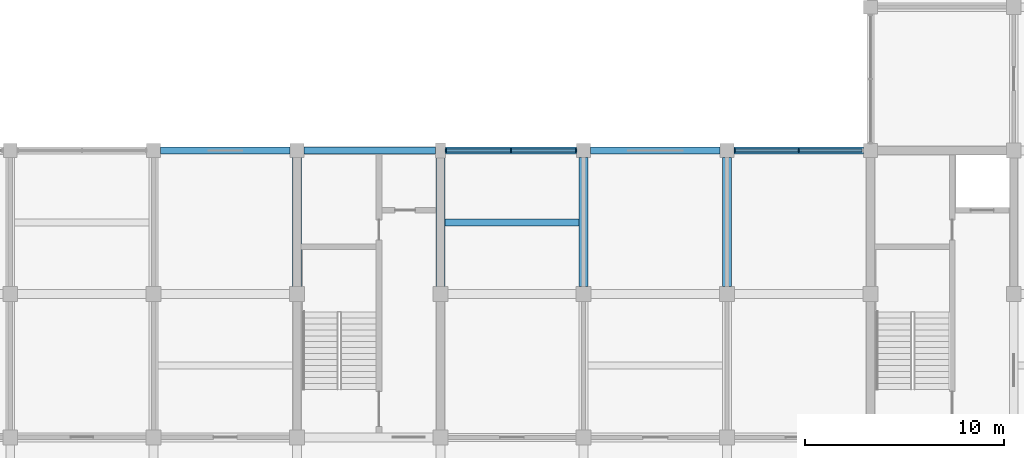
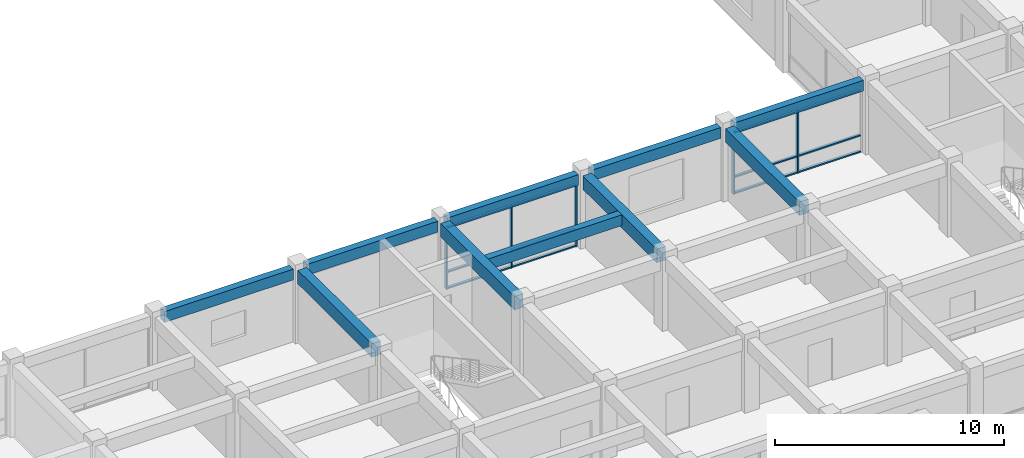
# One storey, part 4 of 31: 17 members, 10 beams, 2 elements without a shape of their own.
"""IFC4 building model written with IfcOpenShell, lengths in metres."""

from ifc_helpers import new_model, si_unit, direction, frame, origin, origin_2d, place, context, subcontext, project, spatial, rectangle, extrude, material, layer, layer_set, material_profile, profile_set, type_object, element, aggregate, save


model = new_model("IFC4")

# Units and contexts
model_context = context("Model", 3, precision=1e-05, world=origin(), true_north=direction((0.0, 1.0)))
body_context = subcontext(model_context, "Body", "Model", "MODEL_VIEW")
ifc_project = project(units=[si_unit("LENGTHUNIT", "METRE"), si_unit("AREAUNIT", "SQUARE_METRE"), si_unit("VOLUMEUNIT", "CUBIC_METRE"), si_unit("PLANEANGLEUNIT", "RADIAN"), si_unit("MASSUNIT", "GRAM", prefix="KILO")], contexts=[model_context])

# Site, building, storey
site_placement = place(None, origin())
site = spatial("IfcSite", under=ifc_project, at=site_placement, CompositionType="ELEMENT")
building_placement = place(site_placement, origin())
building = spatial("IfcBuilding", under=site, at=building_placement, Name="Cendaluz Park School", CompositionType="ELEMENT")
storey_placement = place(building_placement, frame((0.0, 0.0, 14.39990234375)))
storey = spatial("IfcBuildingStorey", under=building, at=storey_placement, Name="L03", CompositionType="ELEMENT", Elevation=14.39990234375)

# Beams
ifc_material_1 = material(Name="Concrete C40/50", Category="concrete")
ifc_material_profile_1 = material_profile(ifc_material_1, rectangle(XDim=0.449951171875, YDim=0.719970703125, at=origin_2d()), Name="RC 450x720", Category="concrete")
ifc_profile_set_1 = profile_set([ifc_material_profile_1], Name="Concrete C40/50")
beam_type_1 = type_object("IfcBeamType", Name="BM-RC02", PredefinedType="BEAM", material=ifc_profile_set_1)
beam_1_placement = place(storey_placement, frame((36.0, 21.97509765625, 3.530029296875), z_axis=(0.0, 1.0, 0.0), x_axis=(-1.0, 0.0, 0.0)))
element("IfcBeam", 1, at=beam_1_placement, inside=storey, type_object=beam_type_1, Name="BM-L03-BMRC02-0122", PredefinedType="BEAM", context=body_context, shape_type="SweptSolid", body=[
    extrude(rectangle(XDim=0.449951171875, YDim=0.719970703125, at=origin_2d()), origin(), (0.0, 0.0, 1.0), 6.474853515625),
])
beam_2_placement = place(storey_placement, frame((43.199951171875, 21.97509765625, 3.530029296875), z_axis=(0.0, 1.0, 0.0), x_axis=(-1.0, 0.0, 0.0)))
element("IfcBeam", 2, at=beam_2_placement, inside=storey, type_object=beam_type_1, Name="BM-L03-BMRC02-0125", PredefinedType="BEAM", context=body_context, shape_type="SweptSolid", body=[
    extrude(rectangle(XDim=0.449951171875, YDim=0.719970703125, at=origin_2d()), origin(), (0.0, 0.0, 1.0), 6.449951171875),
])
for number, where, z_axis, x_axis, name in (
    (3, (50.39990234375, 21.97509765625, 3.530029296875), (0.0, 1.0, 0.0), (-1.0, 0.0, 0.0), "BM-L03-BMRC02-0128"),
    (4, (57.60009765625, 21.97509765625, 3.530029296875), (0.0, 1.0, 0.0), (-1.0, 0.0, 0.0), "BM-L03-BMRC02-0131"),
):
    element("IfcBeam", number, at=place(storey_placement, frame(where, z_axis=z_axis, x_axis=x_axis)), inside=storey, type_object=beam_type_1, Name=name, PredefinedType="BEAM", context=body_context, shape_type="SweptSolid", body=[
        extrude(rectangle(XDim=0.449951171875, YDim=0.719970703125, at=origin_2d()), origin(), (0.0, 0.0, 1.0), 6.474853515625),
    ])
ifc_material_profile_2 = material_profile(ifc_material_1, rectangle(XDim=0.35009765625, YDim=0.580078125, at=origin_2d()), Name="RC 350x580", Category="concrete")
ifc_profile_set_2 = profile_set([ifc_material_profile_2], Name="Concrete C40/50")
beam_type_2 = type_object("IfcBeamType", Name="BM-RC04", PredefinedType="LINTEL", material=ifc_profile_set_2)
beam_3_placement = place(storey_placement, frame((29.14990234375, 28.800048828125, 3.60009765625), z_axis=(1.0, 0.0, 0.0), x_axis=(0.0, 1.0, 0.0)))
element("IfcBeam", 5, at=beam_3_placement, inside=storey, type_object=beam_type_2, Name="BM-L03-BMRC04-0012", PredefinedType="LINTEL", context=body_context, shape_type="SweptSolid", body=[
    extrude(rectangle(XDim=0.35009765625, YDim=0.580078125, at=origin_2d()), origin(), (0.0, 0.0, 1.0), 6.5),
])
beam_4_placement = place(storey_placement, frame((36.35009765625, 28.800048828125, 3.60009765625), z_axis=(1.0, 0.0, 0.0), x_axis=(0.0, 1.0, 0.0)))
element("IfcBeam", 6, at=beam_4_placement, inside=storey, type_object=beam_type_2, Name="BM-L03-BMRC04-0015", PredefinedType="LINTEL", context=body_context, shape_type="SweptSolid", body=[
    extrude(rectangle(XDim=0.35009765625, YDim=0.580078125, at=origin_2d()), origin(), (0.0, 0.0, 1.0), 6.599853515625),
])
beam_5_placement = place(storey_placement, frame((43.449951171875, 28.800048828125, 3.60009765625), z_axis=(1.0, 0.0, 0.0), x_axis=(0.0, 1.0, 0.0)))
element("IfcBeam", 7, at=beam_5_placement, inside=storey, type_object=beam_type_2, Name="BM-L03-BMRC04-0019", PredefinedType="LINTEL", context=body_context, shape_type="SweptSolid", body=[
    extrude(rectangle(XDim=0.35009765625, YDim=0.580078125, at=origin_2d()), origin(), (0.0, 0.0, 1.0), 6.60009765625),
])
for number, where, z_axis, x_axis, name in (
    (8, (50.75, 28.800048828125, 3.60009765625), (1.0, 0.0, 0.0), (0.0, 1.0, 0.0), "BM-L03-BMRC04-0023"),
    (9, (57.949951171875, 28.800048828125, 3.60009765625), (1.0, 0.0, 0.0), (0.0, 1.0, 0.0), "BM-L03-BMRC04-0027"),
):
    element("IfcBeam", number, at=place(storey_placement, frame(where, z_axis=z_axis, x_axis=x_axis)), inside=storey, type_object=beam_type_2, Name=name, PredefinedType="LINTEL", context=body_context, shape_type="SweptSolid", body=[
        extrude(rectangle(XDim=0.35009765625, YDim=0.580078125, at=origin_2d()), origin(), (0.0, 0.0, 1.0), 6.5),
    ])

# Curtain wall, members
ifc_material_2 = material(Name="Anodised Aluminium 6063-T6", Category="aluminium")
ifc_layer_1 = layer(ifc_material_2, 0.179931640625)
ifc_layer_set_1 = layer_set([ifc_layer_1], Name="Anodised Aluminium 6063-T6")
curtain_wall_type_1 = type_object("IfcCurtainWallType", Name="CW-132x66", PredefinedType="NOTDEFINED", material=ifc_layer_set_1)
curtain_wall_1_placement = place(storey_placement, origin())
curtain_wall_1 = element("IfcCurtainWall", 10, at=curtain_wall_1_placement, inside=storey, type_object=curtain_wall_type_1, Name="CW-L03-137", PredefinedType="NOTDEFINED")
ifc_material_profile_3 = material_profile(ifc_material_2, rectangle(XDim=0.179931640625, YDim=0.070068359375, at=origin_2d()), Name="CWM 180x70", Category="aluminium")
ifc_profile_set_3 = profile_set([ifc_material_profile_3], Name="Anodised Aluminium 6063-T6")
member_type_1 = type_object("IfcMemberType", Name="CWM-01", PredefinedType="MULLION", material=ifc_profile_set_3)
member_1_placement = place(storey_placement, frame((43.485107421875, 28.800048828125, 0.0), z_axis=(0.0, 0.0, 1.0), x_axis=(0.0, 1.0, 0.0)))
member_1 = element("IfcMember", 11, at=member_1_placement, type_object=member_type_1, Name="CP-L03-1769", PredefinedType="MULLION", context=body_context, shape_type="SweptSolid", body=[
    extrude(rectangle(XDim=0.179931640625, YDim=0.070068359375, at=origin_2d()), origin(), (0.0, 0.0, 1.0), 3.31005859375),
])
member_2_placement = place(storey_placement, frame((46.75, 28.800048828125, 0.0), z_axis=(0.0, 0.0, 1.0), x_axis=(0.0, 1.0, 0.0)))
member_2 = element("IfcMember", 12, at=member_2_placement, type_object=member_type_1, Name="CP-L03-1770", PredefinedType="MULLION", context=body_context, shape_type="SweptSolid", body=[
    extrude(rectangle(XDim=0.179931640625, YDim=0.070068359375, at=origin_2d()), origin(), (0.0, 0.0, 1.0), 3.31005859375),
])
member_3_placement = place(storey_placement, frame((50.014892578125, 28.800048828125, 0.0), z_axis=(0.0, 0.0, 1.0), x_axis=(0.0, 1.0, 0.0)))
member_3 = element("IfcMember", 13, at=member_3_placement, type_object=member_type_1, Name="CP-L03-1771", PredefinedType="MULLION", context=body_context, shape_type="SweptSolid", body=[
    extrude(rectangle(XDim=0.179931640625, YDim=0.070068359375, at=origin_2d()), origin(), (0.0, 0.0, 1.0), 3.31005859375),
])

ifc_layer_2 = layer(ifc_material_2, 0.179931640625)
ifc_layer_set_2 = layer_set([ifc_layer_2], Name="Anodised Aluminium 6063-T6")
curtain_wall_type_2 = type_object("IfcCurtainWallType", Name="CW-130x66", PredefinedType="NOTDEFINED", material=ifc_layer_set_2)
curtain_wall_2_placement = place(storey_placement, origin())
curtain_wall_2 = element("IfcCurtainWall", 14, at=curtain_wall_2_placement, inside=storey, type_object=curtain_wall_type_2, Name="CW-L03-139", PredefinedType="NOTDEFINED")
member_4_placement = place(storey_placement, frame((57.985107421875, 28.800048828125, 0.0), z_axis=(0.0, 0.0, 1.0), x_axis=(0.0, 1.0, 0.0)))
member_4 = element("IfcMember", 15, at=member_4_placement, type_object=member_type_1, Name="CP-L03-1795", PredefinedType="MULLION", context=body_context, shape_type="SweptSolid", body=[
    extrude(rectangle(XDim=0.179931640625, YDim=0.070068359375, at=origin_2d()), origin(), (0.0, 0.0, 1.0), 3.31005859375),
])
member_5_placement = place(storey_placement, frame((61.199951171875, 28.800048828125, 0.0), z_axis=(0.0, 0.0, 1.0), x_axis=(0.0, 1.0, 0.0)))
member_5 = element("IfcMember", 16, at=member_5_placement, type_object=member_type_1, Name="CP-L03-1796", PredefinedType="MULLION", context=body_context, shape_type="SweptSolid", body=[
    extrude(rectangle(XDim=0.179931640625, YDim=0.070068359375, at=origin_2d()), origin(), (0.0, 0.0, 1.0), 3.31005859375),
])

# Member
ifc_material_profile_4 = material_profile(ifc_material_2, rectangle(XDim=0.139892578125, YDim=0.070068359375, at=origin_2d()), Name="CWT 140x70", Category="aluminium")
ifc_profile_set_4 = profile_set([ifc_material_profile_4], Name="Anodised Aluminium 6063-T6")
member_type_2 = type_object("IfcMemberType", Name="CWT-01", PredefinedType="USERDEFINED", material=ifc_profile_set_4)
member_6_placement = place(storey_placement, frame((43.52001953125, 28.800048828125, 0.03515625), z_axis=(1.0, 0.0, 0.0), x_axis=(0.0, 1.0, 0.0)))
member_6 = element("IfcMember", 17, at=member_6_placement, type_object=member_type_2, Name="CP-L03-1772", ObjectType="TRANSOM", PredefinedType="USERDEFINED", context=body_context, shape_type="SweptSolid", body=[
    extrude(rectangle(XDim=0.139892578125, YDim=0.070068359375, at=origin_2d()), origin(), (0.0, 0.0, 1.0), 3.195068359375),
])

member_7_placement = place(storey_placement, frame((43.52001953125, 28.800048828125, 0.900146484375), z_axis=(1.0, 0.0, 0.0), x_axis=(0.0, 1.0, 0.0)))
member_7 = element("IfcMember", 18, at=member_7_placement, type_object=member_type_2, Name="CP-L03-1773", ObjectType="TRANSOM", PredefinedType="USERDEFINED", context=body_context, shape_type="SweptSolid", body=[
    extrude(rectangle(XDim=0.139892578125, YDim=0.070068359375, at=origin_2d()), origin(), (0.0, 0.0, 1.0), 3.195068359375),
])

member_8_placement = place(storey_placement, frame((43.52001953125, 28.800048828125, 3.275146484375), z_axis=(1.0, 0.0, 0.0), x_axis=(0.0, 1.0, 0.0)))
member_8 = element("IfcMember", 19, at=member_8_placement, type_object=member_type_2, Name="CP-L03-1774", ObjectType="TRANSOM", PredefinedType="USERDEFINED", context=body_context, shape_type="SweptSolid", body=[
    extrude(rectangle(XDim=0.139892578125, YDim=0.070068359375, at=origin_2d()), origin(), (0.0, 0.0, 1.0), 3.195068359375),
])

member_9_placement = place(storey_placement, frame((46.784912109375, 28.800048828125, 0.03515625), z_axis=(1.0, 0.0, 0.0), x_axis=(0.0, 1.0, 0.0)))
member_9 = element("IfcMember", 20, at=member_9_placement, type_object=member_type_2, Name="CP-L03-1777", ObjectType="TRANSOM", PredefinedType="USERDEFINED", context=body_context, shape_type="SweptSolid", body=[
    extrude(rectangle(XDim=0.139892578125, YDim=0.070068359375, at=origin_2d()), origin(), (0.0, 0.0, 1.0), 3.195068359375),
])

member_10_placement = place(storey_placement, frame((46.784912109375, 28.800048828125, 0.900146484375), z_axis=(1.0, 0.0, 0.0), x_axis=(0.0, 1.0, 0.0)))
member_10 = element("IfcMember", 21, at=member_10_placement, type_object=member_type_2, Name="CP-L03-1778", ObjectType="TRANSOM", PredefinedType="USERDEFINED", context=body_context, shape_type="SweptSolid", body=[
    extrude(rectangle(XDim=0.139892578125, YDim=0.070068359375, at=origin_2d()), origin(), (0.0, 0.0, 1.0), 3.195068359375),
])

member_11_placement = place(storey_placement, frame((46.784912109375, 28.800048828125, 3.275146484375), z_axis=(1.0, 0.0, 0.0), x_axis=(0.0, 1.0, 0.0)))
member_11 = element("IfcMember", 22, at=member_11_placement, type_object=member_type_2, Name="CP-L03-1779", ObjectType="TRANSOM", PredefinedType="USERDEFINED", context=body_context, shape_type="SweptSolid", body=[
    extrude(rectangle(XDim=0.139892578125, YDim=0.070068359375, at=origin_2d()), origin(), (0.0, 0.0, 1.0), 3.195068359375),
])

aggregate(curtain_wall_1, [member_1, member_2, member_3, member_6, member_7, member_8, member_9, member_10, member_11])

member_12_placement = place(storey_placement, frame((58.02001953125, 28.800048828125, 0.03515625), z_axis=(1.0, 0.0, 0.0), x_axis=(0.0, 1.0, 0.0)))
member_12 = element("IfcMember", 23, at=member_12_placement, type_object=member_type_2, Name="CP-L03-1798", ObjectType="TRANSOM", PredefinedType="USERDEFINED", context=body_context, shape_type="SweptSolid", body=[
    extrude(rectangle(XDim=0.139892578125, YDim=0.070068359375, at=origin_2d()), origin(), (0.0, 0.0, 1.0), 3.14501953125),
])

member_13_placement = place(storey_placement, frame((58.02001953125, 28.800048828125, 0.900146484375), z_axis=(1.0, 0.0, 0.0), x_axis=(0.0, 1.0, 0.0)))
member_13 = element("IfcMember", 24, at=member_13_placement, type_object=member_type_2, Name="CP-L03-1799", ObjectType="TRANSOM", PredefinedType="USERDEFINED", context=body_context, shape_type="SweptSolid", body=[
    extrude(rectangle(XDim=0.139892578125, YDim=0.070068359375, at=origin_2d()), origin(), (0.0, 0.0, 1.0), 3.14501953125),
])

member_14_placement = place(storey_placement, frame((58.02001953125, 28.800048828125, 3.275146484375), z_axis=(1.0, 0.0, 0.0), x_axis=(0.0, 1.0, 0.0)))
member_14 = element("IfcMember", 25, at=member_14_placement, type_object=member_type_2, Name="CP-L03-1800", ObjectType="TRANSOM", PredefinedType="USERDEFINED", context=body_context, shape_type="SweptSolid", body=[
    extrude(rectangle(XDim=0.139892578125, YDim=0.070068359375, at=origin_2d()), origin(), (0.0, 0.0, 1.0), 3.14501953125),
])

member_15_placement = place(storey_placement, frame((61.235107421875, 28.800048828125, 0.03515625), z_axis=(1.0, 0.0, 0.0), x_axis=(0.0, 1.0, 0.0)))
member_15 = element("IfcMember", 26, at=member_15_placement, type_object=member_type_2, Name="CP-L03-1803", ObjectType="TRANSOM", PredefinedType="USERDEFINED", context=body_context, shape_type="SweptSolid", body=[
    extrude(rectangle(XDim=0.139892578125, YDim=0.070068359375, at=origin_2d()), origin(), (0.0, 0.0, 1.0), 3.144775390625),
])

member_16_placement = place(storey_placement, frame((61.235107421875, 28.800048828125, 0.900146484375), z_axis=(1.0, 0.0, 0.0), x_axis=(0.0, 1.0, 0.0)))
member_16 = element("IfcMember", 27, at=member_16_placement, type_object=member_type_2, Name="CP-L03-1804", ObjectType="TRANSOM", PredefinedType="USERDEFINED", context=body_context, shape_type="SweptSolid", body=[
    extrude(rectangle(XDim=0.139892578125, YDim=0.070068359375, at=origin_2d()), origin(), (0.0, 0.0, 1.0), 3.144775390625),
])

member_17_placement = place(storey_placement, frame((61.235107421875, 28.800048828125, 3.275146484375), z_axis=(1.0, 0.0, 0.0), x_axis=(0.0, 1.0, 0.0)))
member_17 = element("IfcMember", 28, at=member_17_placement, type_object=member_type_2, Name="CP-L03-1805", ObjectType="TRANSOM", PredefinedType="USERDEFINED", context=body_context, shape_type="SweptSolid", body=[
    extrude(rectangle(XDim=0.139892578125, YDim=0.070068359375, at=origin_2d()), origin(), (0.0, 0.0, 1.0), 3.144775390625),
])

aggregate(curtain_wall_2, [member_4, member_5, member_12, member_13, member_14, member_15, member_16, member_17])

# Beam
ifc_material_profile_5 = material_profile(ifc_material_1, rectangle(XDim=0.35009765625, YDim=0.580078125, at=origin_2d()), Name="RC 350x580", Category="concrete")
ifc_profile_set_5 = profile_set([ifc_material_profile_5], Name="Concrete C40/50")
beam_type_3 = type_object("IfcBeamType", Name="JT-RC01", PredefinedType="JOIST", material=ifc_profile_set_5)
beam_6_placement = place(storey_placement, frame((43.425048828125, 25.199951171875, 3.60009765625), z_axis=(1.0, 0.0, 0.0), x_axis=(0.0, 1.0, 0.0)))
element("IfcBeam", 29, at=beam_6_placement, inside=storey, type_object=beam_type_3, Name="BM-L03-JTRC01-0220", PredefinedType="JOIST", context=body_context, shape_type="SweptSolid", body=[
    extrude(rectangle(XDim=0.35009765625, YDim=0.580078125, at=origin_2d()), origin(), (0.0, 0.0, 1.0), 6.75),
])

save(model, "model.ifc")
